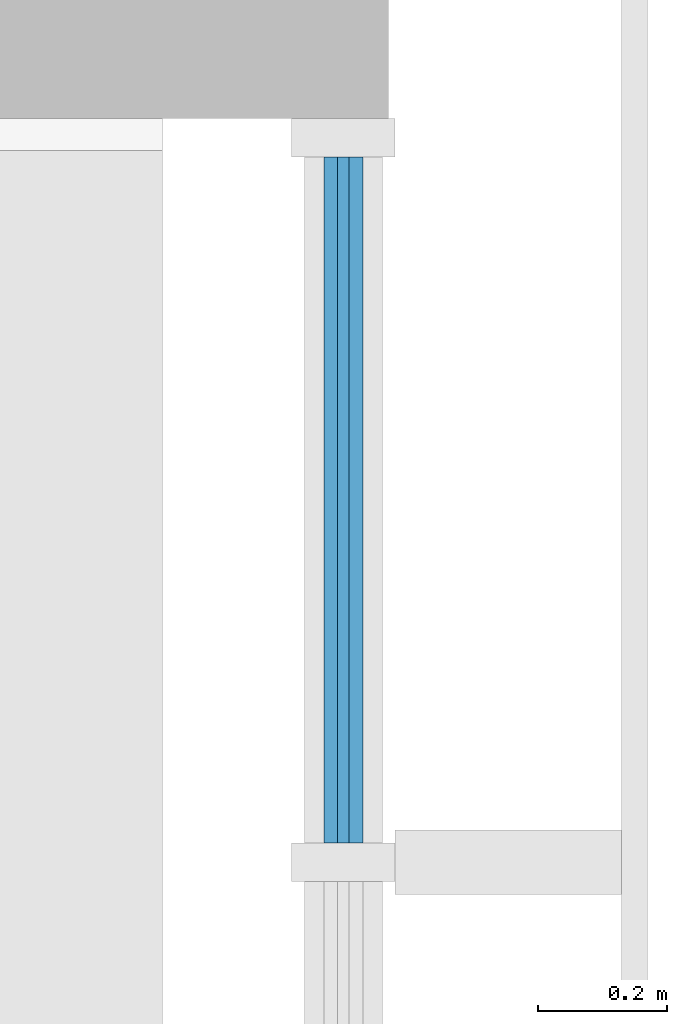
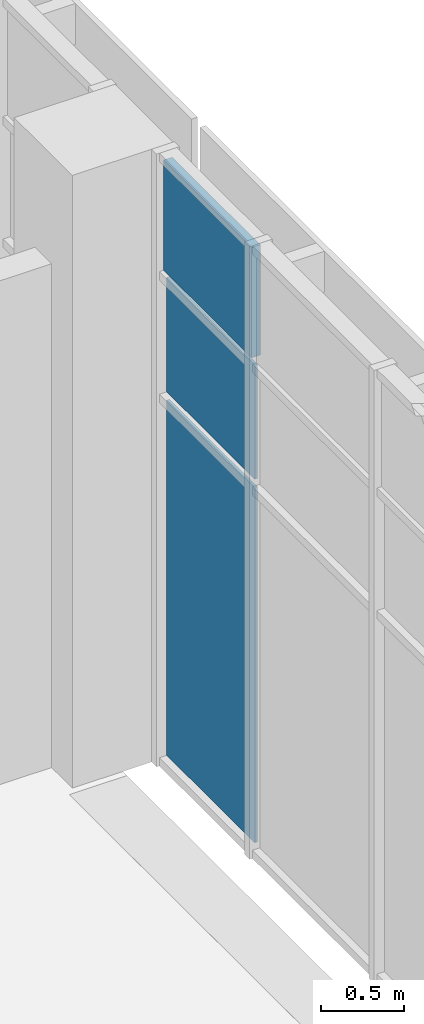
# One storey, part 54 of 106: 3 plates, 1 element without a shape of its own.
"""IFC4 building model written with IfcOpenShell, lengths in metres."""

from ifc_helpers import new_model, si_unit, direction, frame, origin, origin_2d, place, context, subcontext, project, spatial, rectangle, extrude, material, layer, layer_set, type_object, element, aggregate, save


model = new_model("IFC4")

# Units and contexts
model_context = context("Model", 3, precision=1e-05, world=origin(), true_north=direction((0.0, 1.0)))
body_context = subcontext(model_context, "Body", "Model", "MODEL_VIEW")
ifc_project = project(units=[si_unit("LENGTHUNIT", "METRE"), si_unit("AREAUNIT", "SQUARE_METRE"), si_unit("VOLUMEUNIT", "CUBIC_METRE"), si_unit("PLANEANGLEUNIT", "RADIAN"), si_unit("MASSUNIT", "GRAM", prefix="KILO")], contexts=[model_context])

# Site, building, storey
site_placement = place(None, origin())
site = spatial("IfcSite", under=ifc_project, at=site_placement, CompositionType="ELEMENT")
building_placement = place(site_placement, origin())
building = spatial("IfcBuilding", under=site, at=building_placement, Name="Guidao Yard Department Store", CompositionType="ELEMENT")
storey_placement = place(building_placement, frame((0.0, 0.0, 10.5)))
storey = spatial("IfcBuildingStorey", under=building, at=storey_placement, Name="L02", CompositionType="ELEMENT", Elevation=10.5)

# Curtain wall, plates
ifc_material_1 = material(Name="Aluminium and glass", Category="aluminium")
ifc_layer_1 = layer(ifc_material_1, 0.159912109375)
ifc_layer_set_1 = layer_set([ifc_layer_1], Name="Shopfront curtain wall CW1 1500 module")
curtain_wall_type = type_object("IfcCurtainWallType", Name="Shopfront curtain wall CW1 1500 module", PredefinedType="NOTDEFINED", material=ifc_layer_set_1)
curtain_wall_placement = place(storey_placement, origin())
curtain_wall = element("IfcCurtainWall", 1, at=curtain_wall_placement, inside=storey, type_object=curtain_wall_type, Name="Arcade shop front", PredefinedType="NOTDEFINED")
ifc_material_2 = material(Name="Aluminium 6063-T5 faced insulated spandrel", Category="aluminium")
ifc_layer_2 = layer(ifc_material_2, 0.06005859375)
ifc_layer_set_2 = layer_set([ifc_layer_2], Name="Spandrel panel SP1 insulated opaque")
plate_type_1 = type_object("IfcPlateType", Name="Spandrel panel SP1 insulated opaque", PredefinedType="CURTAIN_PANEL", material=ifc_layer_set_2)
plate_1_placement = place(storey_placement, frame((108.280029296875, 62.06005859375, 3.6298828125), z_axis=(0.0, 0.0, 1.0), x_axis=(0.0, -1.0, 0.0)))
plate_1 = element("IfcPlate", 2, at=plate_1_placement, type_object=plate_type_1, Name="CW-AS-L02-15 panel 6.3", PredefinedType="CURTAIN_PANEL", context=body_context, shape_type="SweptSolid", body=[
    extrude(rectangle(XDim=1.06005859375, YDim=0.06005859375, at=origin_2d()), origin(), (0.0, 0.0, 1.0), 0.81005859375),
])
ifc_material_3 = material(Name="Laminated heat-soaked tempered glass", Category="glass")
ifc_layer_3 = layer(ifc_material_3, 0.017578125)
ifc_layer_set_3 = layer_set([ifc_layer_3], Name="Vision glass VG1 laminated heat-soaked tempered 8+8")
plate_type_2 = type_object("IfcPlateType", Name="Vision glass VG1 laminated heat-soaked tempered 8+8", PredefinedType="CURTAIN_PANEL", material=ifc_layer_set_3)
plate_2_placement = place(storey_placement, frame((108.280029296875, 62.06005859375, 0.06005859375), z_axis=(0.0, 0.0, 1.0), x_axis=(0.0, -1.0, 0.0)))
plate_2 = element("IfcPlate", 3, at=plate_2_placement, type_object=plate_type_2, Name="CW-AS-L02-15 panel 6.1", PredefinedType="CURTAIN_PANEL", context=body_context, shape_type="SweptSolid", body=[
    extrude(rectangle(XDim=1.06005859375, YDim=0.017578125, at=origin_2d()), origin(), (0.0, 0.0, 1.0), 2.610107421875),
])
plate_3_placement = place(storey_placement, frame((108.280029296875, 62.06005859375, 2.72998046875), z_axis=(0.0, 0.0, 1.0), x_axis=(0.0, -1.0, 0.0)))
plate_3 = element("IfcPlate", 4, at=plate_3_placement, type_object=plate_type_2, Name="CW-AS-L02-15 panel 6.2", PredefinedType="CURTAIN_PANEL", context=body_context, shape_type="SweptSolid", body=[
    extrude(rectangle(XDim=1.06005859375, YDim=0.017578125, at=origin_2d()), origin(), (0.0, 0.0, 1.0), 0.840087890625),
])
aggregate(curtain_wall, [plate_2, plate_3, plate_1])

save(model, "model.ifc")
